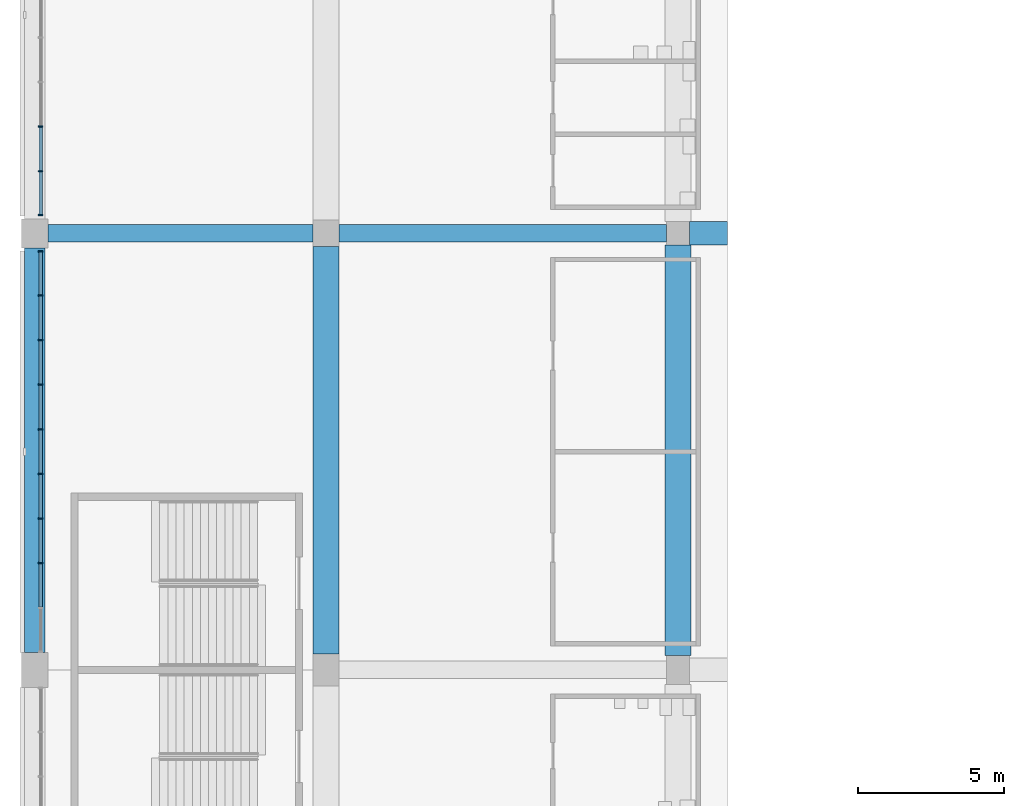
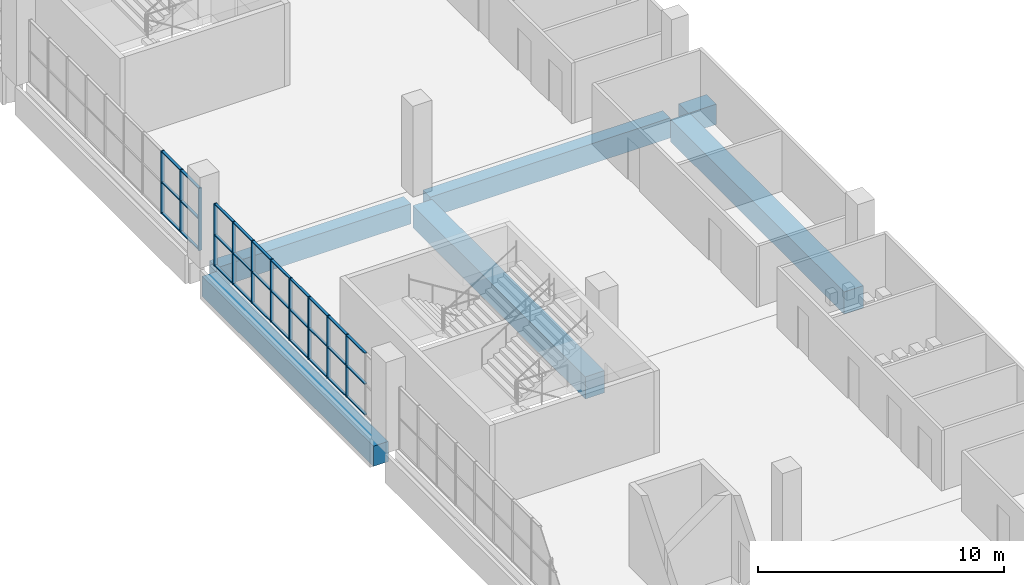
# One storey, part 34 of 199: 41 members, 6 beams, 2 elements without a shape of their own.
"""IFC4 building model written with IfcOpenShell, lengths in metres."""

from ifc_helpers import new_model, si_unit, direction, frame, origin, origin_2d, place, context, subcontext, project, spatial, rectangle, extrude, material, material_profile, profile_set, type_object, element, aggregate, save


model = new_model("IFC4")

# Units and contexts
model_context = context("Model", 3, precision=1e-05, world=origin(), true_north=direction((0.0, 1.0)))
body_context = subcontext(model_context, "Body", "Model", "MODEL_VIEW")
ifc_project = project(units=[si_unit("LENGTHUNIT", "METRE"), si_unit("AREAUNIT", "SQUARE_METRE"), si_unit("VOLUMEUNIT", "CUBIC_METRE"), si_unit("PLANEANGLEUNIT", "RADIAN"), si_unit("MASSUNIT", "GRAM", prefix="KILO")], contexts=[model_context])

# Site, building, storey
site_placement = place(None, origin())
site = spatial("IfcSite", under=ifc_project, at=site_placement, CompositionType="ELEMENT")
building_placement = place(site_placement, origin())
building = spatial("IfcBuilding", under=site, at=building_placement, Name="Ogive Plaza Stadium", CompositionType="ELEMENT")
storey_placement = place(building_placement, frame((0.0, 0.0, 4.5)))
storey = spatial("IfcBuildingStorey", under=building, at=storey_placement, Name="L01", CompositionType="ELEMENT", Elevation=4.5)

# Curtain wall, members
ifc_material_1 = material(Name="Bronze-anodised aluminium with laminated glass", Category="aluminium")
curtain_wall_type = type_object("IfcCurtainWallType", Name="Lancet curtain wall", PredefinedType="NOTDEFINED", material=ifc_material_1)
curtain_wall_1_placement = place(storey_placement, origin())
curtain_wall_1 = element("IfcCurtainWall", 1, at=curtain_wall_1_placement, inside=storey, type_object=curtain_wall_type, Name="CURTAIN WALL B26 L01", PredefinedType="NOTDEFINED")
ifc_material_2 = material(Name="Bronze-anodised aluminium", Category="aluminium")
ifc_material_profile_1 = material_profile(ifc_material_2, rectangle(XDim=0.14990234375, YDim=0.050048828125, at=origin_2d()), Name="AL 150x50")
ifc_profile_set_1 = profile_set([ifc_material_profile_1], Name="Bronze-anodised aluminium")
member_type_1 = type_object("IfcMemberType", Name="Curtain wall mullion 50x150", PredefinedType="MULLION", material=ifc_profile_set_1)
member_1_placement = place(storey_placement, frame((-83.800048828125, 26.166748046875, 0.0), z_axis=(0.0, 0.0, 1.0), x_axis=(-1.0, 0.0, 0.0)))
member_1 = element("IfcMember", 2, at=member_1_placement, type_object=member_type_1, Name="CW-B26-L01 mullion 3", PredefinedType="MULLION", context=body_context, shape_type="SweptSolid", body=[
    extrude(rectangle(XDim=0.14990234375, YDim=0.050048828125, at=origin_2d()), origin(), (0.0, 0.0, 1.0), 3.090087890625),
])
member_2_placement = place(storey_placement, frame((-83.800048828125, 27.699951171875, 0.0), z_axis=(0.0, 0.0, 1.0), x_axis=(-1.0, 0.0, 0.0)))
member_2 = element("IfcMember", 3, at=member_2_placement, type_object=member_type_1, Name="CW-B26-L01 mullion 4", PredefinedType="MULLION", context=body_context, shape_type="SweptSolid", body=[
    extrude(rectangle(XDim=0.14990234375, YDim=0.050048828125, at=origin_2d()), origin(), (0.0, 0.0, 1.0), 3.090087890625),
])
member_3_placement = place(storey_placement, frame((-83.800048828125, 29.2333984375, 0.0), z_axis=(0.0, 0.0, 1.0), x_axis=(-1.0, 0.0, 0.0)))
member_3 = element("IfcMember", 4, at=member_3_placement, type_object=member_type_1, Name="CW-B26-L01 mullion 5", PredefinedType="MULLION", context=body_context, shape_type="SweptSolid", body=[
    extrude(rectangle(XDim=0.14990234375, YDim=0.050048828125, at=origin_2d()), origin(), (0.0, 0.0, 1.0), 3.090087890625),
])
member_4_placement = place(storey_placement, frame((-83.800048828125, 30.7666015625, 0.0), z_axis=(0.0, 0.0, 1.0), x_axis=(-1.0, 0.0, 0.0)))
member_4 = element("IfcMember", 5, at=member_4_placement, type_object=member_type_1, Name="CW-B26-L01 mullion 6", PredefinedType="MULLION", context=body_context, shape_type="SweptSolid", body=[
    extrude(rectangle(XDim=0.14990234375, YDim=0.050048828125, at=origin_2d()), origin(), (0.0, 0.0, 1.0), 3.090087890625),
])
member_5_placement = place(storey_placement, frame((-83.800048828125, 32.300048828125, 0.0), z_axis=(0.0, 0.0, 1.0), x_axis=(-1.0, 0.0, 0.0)))
member_5 = element("IfcMember", 6, at=member_5_placement, type_object=member_type_1, Name="CW-B26-L01 mullion 7", PredefinedType="MULLION", context=body_context, shape_type="SweptSolid", body=[
    extrude(rectangle(XDim=0.14990234375, YDim=0.050048828125, at=origin_2d()), origin(), (0.0, 0.0, 1.0), 3.090087890625),
])
member_6_placement = place(storey_placement, frame((-83.800048828125, 33.833251953125, 0.0), z_axis=(0.0, 0.0, 1.0), x_axis=(-1.0, 0.0, 0.0)))
member_6 = element("IfcMember", 7, at=member_6_placement, type_object=member_type_1, Name="CW-B26-L01 mullion 8", PredefinedType="MULLION", context=body_context, shape_type="SweptSolid", body=[
    extrude(rectangle(XDim=0.14990234375, YDim=0.050048828125, at=origin_2d()), origin(), (0.0, 0.0, 1.0), 3.090087890625),
])
member_7_placement = place(storey_placement, frame((-83.800048828125, 35.36669921875, 0.0), z_axis=(0.0, 0.0, 1.0), x_axis=(-1.0, 0.0, 0.0)))
member_7 = element("IfcMember", 8, at=member_7_placement, type_object=member_type_1, Name="CW-B26-L01 mullion 9", PredefinedType="MULLION", context=body_context, shape_type="SweptSolid", body=[
    extrude(rectangle(XDim=0.14990234375, YDim=0.050048828125, at=origin_2d()), origin(), (0.0, 0.0, 1.0), 3.090087890625),
])
member_8_placement = place(storey_placement, frame((-83.800048828125, 36.875, 0.0), z_axis=(0.0, 0.0, 1.0), x_axis=(-1.0, 0.0, 0.0)))
member_8 = element("IfcMember", 9, at=member_8_placement, type_object=member_type_1, Name="CW-B26-L01 mullion 10", PredefinedType="MULLION", context=body_context, shape_type="SweptSolid", body=[
    extrude(rectangle(XDim=0.14990234375, YDim=0.050048828125, at=origin_2d()), origin(), (0.0, 0.0, 1.0), 3.090087890625),
])

curtain_wall_2_placement = place(storey_placement, origin())
curtain_wall_2 = element("IfcCurtainWall", 10, at=curtain_wall_2_placement, inside=storey, type_object=curtain_wall_type, Name="CURTAIN WALL B27 L01", PredefinedType="NOTDEFINED")
member_9_placement = place(storey_placement, frame((-83.800048828125, 38.125, 0.0), z_axis=(0.0, 0.0, 1.0), x_axis=(-1.0, 0.0, 0.0)))
member_9 = element("IfcMember", 11, at=member_9_placement, type_object=member_type_1, Name="CW-B27-L01 mullion 1", PredefinedType="MULLION", context=body_context, shape_type="SweptSolid", body=[
    extrude(rectangle(XDim=0.14990234375, YDim=0.050048828125, at=origin_2d()), origin(), (0.0, 0.0, 1.0), 3.090087890625),
])
member_10_placement = place(storey_placement, frame((-83.800048828125, 39.63330078125, 0.0), z_axis=(0.0, 0.0, 1.0), x_axis=(-1.0, 0.0, 0.0)))
member_10 = element("IfcMember", 12, at=member_10_placement, type_object=member_type_1, Name="CW-B27-L01 mullion 2", PredefinedType="MULLION", context=body_context, shape_type="SweptSolid", body=[
    extrude(rectangle(XDim=0.14990234375, YDim=0.050048828125, at=origin_2d()), origin(), (0.0, 0.0, 1.0), 3.090087890625),
])
member_11_placement = place(storey_placement, frame((-83.800048828125, 41.166748046875, 0.0), z_axis=(0.0, 0.0, 1.0), x_axis=(-1.0, 0.0, 0.0)))
member_11 = element("IfcMember", 13, at=member_11_placement, type_object=member_type_1, Name="CW-B27-L01 mullion 3", PredefinedType="MULLION", context=body_context, shape_type="SweptSolid", body=[
    extrude(rectangle(XDim=0.14990234375, YDim=0.050048828125, at=origin_2d()), origin(), (0.0, 0.0, 1.0), 3.090087890625),
])

# Member
ifc_material_3 = material(Name="Bronze-anodised aluminium", Category="aluminium")
ifc_material_profile_2 = material_profile(ifc_material_3, rectangle(XDim=0.1201171875, YDim=0.050048828125, at=origin_2d()), Name="AL 120x50")
ifc_profile_set_2 = profile_set([ifc_material_profile_2], Name="Bronze-anodised aluminium")
member_type_2 = type_object("IfcMemberType", Name="Curtain wall transom 50x120", PredefinedType="USERDEFINED", material=ifc_profile_set_2)
member_12_placement = place(storey_placement, frame((-83.800048828125, 24.658447265625, 0.02490234375), z_axis=(0.0, 1.0, 0.0), x_axis=(-1.0, 0.0, 0.0)))
member_12 = element("IfcMember", 14, at=member_12_placement, type_object=member_type_2, Name="CW-B26-L01 transom 2.1", ObjectType="TRANSOM", PredefinedType="USERDEFINED", context=body_context, shape_type="SweptSolid", body=[
    extrude(rectangle(XDim=0.1201171875, YDim=0.050048828125, at=origin_2d()), origin(), (0.0, 0.0, 1.0), 1.483154296875),
])

member_13_placement = place(storey_placement, frame((-83.800048828125, 24.658447265625, 1.544921875), z_axis=(0.0, 1.0, 0.0), x_axis=(-1.0, 0.0, 0.0)))
member_13 = element("IfcMember", 15, at=member_13_placement, type_object=member_type_2, Name="CW-B26-L01 transom 2.2", ObjectType="TRANSOM", PredefinedType="USERDEFINED", context=body_context, shape_type="SweptSolid", body=[
    extrude(rectangle(XDim=0.1201171875, YDim=0.050048828125, at=origin_2d()), origin(), (0.0, 0.0, 1.0), 1.483154296875),
])

member_14_placement = place(storey_placement, frame((-83.800048828125, 24.658447265625, 3.06494140625), z_axis=(0.0, 1.0, 0.0), x_axis=(-1.0, 0.0, 0.0)))
member_14 = element("IfcMember", 16, at=member_14_placement, type_object=member_type_2, Name="CW-B26-L01 transom 2.3", ObjectType="TRANSOM", PredefinedType="USERDEFINED", context=body_context, shape_type="SweptSolid", body=[
    extrude(rectangle(XDim=0.1201171875, YDim=0.050048828125, at=origin_2d()), origin(), (0.0, 0.0, 1.0), 1.483154296875),
])

member_15_placement = place(storey_placement, frame((-83.800048828125, 26.191650390625, 0.02490234375), z_axis=(0.0, 1.0, 0.0), x_axis=(-1.0, 0.0, 0.0)))
member_15 = element("IfcMember", 17, at=member_15_placement, type_object=member_type_2, Name="CW-B26-L01 transom 3.1", ObjectType="TRANSOM", PredefinedType="USERDEFINED", context=body_context, shape_type="SweptSolid", body=[
    extrude(rectangle(XDim=0.1201171875, YDim=0.050048828125, at=origin_2d()), origin(), (0.0, 0.0, 1.0), 1.4833984375),
])

member_16_placement = place(storey_placement, frame((-83.800048828125, 26.191650390625, 1.544921875), z_axis=(0.0, 1.0, 0.0), x_axis=(-1.0, 0.0, 0.0)))
member_16 = element("IfcMember", 18, at=member_16_placement, type_object=member_type_2, Name="CW-B26-L01 transom 3.2", ObjectType="TRANSOM", PredefinedType="USERDEFINED", context=body_context, shape_type="SweptSolid", body=[
    extrude(rectangle(XDim=0.1201171875, YDim=0.050048828125, at=origin_2d()), origin(), (0.0, 0.0, 1.0), 1.4833984375),
])

member_17_placement = place(storey_placement, frame((-83.800048828125, 26.191650390625, 3.06494140625), z_axis=(0.0, 1.0, 0.0), x_axis=(-1.0, 0.0, 0.0)))
member_17 = element("IfcMember", 19, at=member_17_placement, type_object=member_type_2, Name="CW-B26-L01 transom 3.3", ObjectType="TRANSOM", PredefinedType="USERDEFINED", context=body_context, shape_type="SweptSolid", body=[
    extrude(rectangle(XDim=0.1201171875, YDim=0.050048828125, at=origin_2d()), origin(), (0.0, 0.0, 1.0), 1.4833984375),
])

member_18_placement = place(storey_placement, frame((-83.800048828125, 27.72509765625, 0.02490234375), z_axis=(0.0, 1.0, 0.0), x_axis=(-1.0, 0.0, 0.0)))
member_18 = element("IfcMember", 20, at=member_18_placement, type_object=member_type_2, Name="CW-B26-L01 transom 4.1", ObjectType="TRANSOM", PredefinedType="USERDEFINED", context=body_context, shape_type="SweptSolid", body=[
    extrude(rectangle(XDim=0.1201171875, YDim=0.050048828125, at=origin_2d()), origin(), (0.0, 0.0, 1.0), 1.483154296875),
])

member_19_placement = place(storey_placement, frame((-83.800048828125, 27.72509765625, 1.544921875), z_axis=(0.0, 1.0, 0.0), x_axis=(-1.0, 0.0, 0.0)))
member_19 = element("IfcMember", 21, at=member_19_placement, type_object=member_type_2, Name="CW-B26-L01 transom 4.2", ObjectType="TRANSOM", PredefinedType="USERDEFINED", context=body_context, shape_type="SweptSolid", body=[
    extrude(rectangle(XDim=0.1201171875, YDim=0.050048828125, at=origin_2d()), origin(), (0.0, 0.0, 1.0), 1.483154296875),
])

member_20_placement = place(storey_placement, frame((-83.800048828125, 27.72509765625, 3.06494140625), z_axis=(0.0, 1.0, 0.0), x_axis=(-1.0, 0.0, 0.0)))
member_20 = element("IfcMember", 22, at=member_20_placement, type_object=member_type_2, Name="CW-B26-L01 transom 4.3", ObjectType="TRANSOM", PredefinedType="USERDEFINED", context=body_context, shape_type="SweptSolid", body=[
    extrude(rectangle(XDim=0.1201171875, YDim=0.050048828125, at=origin_2d()), origin(), (0.0, 0.0, 1.0), 1.483154296875),
])

member_21_placement = place(storey_placement, frame((-83.800048828125, 29.25830078125, 0.02490234375), z_axis=(0.0, 1.0, 0.0), x_axis=(-1.0, 0.0, 0.0)))
member_21 = element("IfcMember", 23, at=member_21_placement, type_object=member_type_2, Name="CW-B26-L01 transom 5.1", ObjectType="TRANSOM", PredefinedType="USERDEFINED", context=body_context, shape_type="SweptSolid", body=[
    extrude(rectangle(XDim=0.1201171875, YDim=0.050048828125, at=origin_2d()), origin(), (0.0, 0.0, 1.0), 1.4833984375),
])

member_22_placement = place(storey_placement, frame((-83.800048828125, 29.25830078125, 1.544921875), z_axis=(0.0, 1.0, 0.0), x_axis=(-1.0, 0.0, 0.0)))
member_22 = element("IfcMember", 24, at=member_22_placement, type_object=member_type_2, Name="CW-B26-L01 transom 5.2", ObjectType="TRANSOM", PredefinedType="USERDEFINED", context=body_context, shape_type="SweptSolid", body=[
    extrude(rectangle(XDim=0.1201171875, YDim=0.050048828125, at=origin_2d()), origin(), (0.0, 0.0, 1.0), 1.4833984375),
])

member_23_placement = place(storey_placement, frame((-83.800048828125, 29.25830078125, 3.06494140625), z_axis=(0.0, 1.0, 0.0), x_axis=(-1.0, 0.0, 0.0)))
member_23 = element("IfcMember", 25, at=member_23_placement, type_object=member_type_2, Name="CW-B26-L01 transom 5.3", ObjectType="TRANSOM", PredefinedType="USERDEFINED", context=body_context, shape_type="SweptSolid", body=[
    extrude(rectangle(XDim=0.1201171875, YDim=0.050048828125, at=origin_2d()), origin(), (0.0, 0.0, 1.0), 1.4833984375),
])

member_24_placement = place(storey_placement, frame((-83.800048828125, 30.791748046875, 0.02490234375), z_axis=(0.0, 1.0, 0.0), x_axis=(-1.0, 0.0, 0.0)))
member_24 = element("IfcMember", 26, at=member_24_placement, type_object=member_type_2, Name="CW-B26-L01 transom 6.1", ObjectType="TRANSOM", PredefinedType="USERDEFINED", context=body_context, shape_type="SweptSolid", body=[
    extrude(rectangle(XDim=0.1201171875, YDim=0.050048828125, at=origin_2d()), origin(), (0.0, 0.0, 1.0), 1.483154296875),
])

member_25_placement = place(storey_placement, frame((-83.800048828125, 30.791748046875, 1.544921875), z_axis=(0.0, 1.0, 0.0), x_axis=(-1.0, 0.0, 0.0)))
member_25 = element("IfcMember", 27, at=member_25_placement, type_object=member_type_2, Name="CW-B26-L01 transom 6.2", ObjectType="TRANSOM", PredefinedType="USERDEFINED", context=body_context, shape_type="SweptSolid", body=[
    extrude(rectangle(XDim=0.1201171875, YDim=0.050048828125, at=origin_2d()), origin(), (0.0, 0.0, 1.0), 1.483154296875),
])

member_26_placement = place(storey_placement, frame((-83.800048828125, 30.791748046875, 3.06494140625), z_axis=(0.0, 1.0, 0.0), x_axis=(-1.0, 0.0, 0.0)))
member_26 = element("IfcMember", 28, at=member_26_placement, type_object=member_type_2, Name="CW-B26-L01 transom 6.3", ObjectType="TRANSOM", PredefinedType="USERDEFINED", context=body_context, shape_type="SweptSolid", body=[
    extrude(rectangle(XDim=0.1201171875, YDim=0.050048828125, at=origin_2d()), origin(), (0.0, 0.0, 1.0), 1.483154296875),
])

member_27_placement = place(storey_placement, frame((-83.800048828125, 32.324951171875, 0.02490234375), z_axis=(0.0, 1.0, 0.0), x_axis=(-1.0, 0.0, 0.0)))
member_27 = element("IfcMember", 29, at=member_27_placement, type_object=member_type_2, Name="CW-B26-L01 transom 7.1", ObjectType="TRANSOM", PredefinedType="USERDEFINED", context=body_context, shape_type="SweptSolid", body=[
    extrude(rectangle(XDim=0.1201171875, YDim=0.050048828125, at=origin_2d()), origin(), (0.0, 0.0, 1.0), 1.4833984375),
])

member_28_placement = place(storey_placement, frame((-83.800048828125, 32.324951171875, 1.544921875), z_axis=(0.0, 1.0, 0.0), x_axis=(-1.0, 0.0, 0.0)))
member_28 = element("IfcMember", 30, at=member_28_placement, type_object=member_type_2, Name="CW-B26-L01 transom 7.2", ObjectType="TRANSOM", PredefinedType="USERDEFINED", context=body_context, shape_type="SweptSolid", body=[
    extrude(rectangle(XDim=0.1201171875, YDim=0.050048828125, at=origin_2d()), origin(), (0.0, 0.0, 1.0), 1.4833984375),
])

member_29_placement = place(storey_placement, frame((-83.800048828125, 32.324951171875, 3.06494140625), z_axis=(0.0, 1.0, 0.0), x_axis=(-1.0, 0.0, 0.0)))
member_29 = element("IfcMember", 31, at=member_29_placement, type_object=member_type_2, Name="CW-B26-L01 transom 7.3", ObjectType="TRANSOM", PredefinedType="USERDEFINED", context=body_context, shape_type="SweptSolid", body=[
    extrude(rectangle(XDim=0.1201171875, YDim=0.050048828125, at=origin_2d()), origin(), (0.0, 0.0, 1.0), 1.4833984375),
])

member_30_placement = place(storey_placement, frame((-83.800048828125, 33.8583984375, 0.02490234375), z_axis=(0.0, 1.0, 0.0), x_axis=(-1.0, 0.0, 0.0)))
member_30 = element("IfcMember", 32, at=member_30_placement, type_object=member_type_2, Name="CW-B26-L01 transom 8.1", ObjectType="TRANSOM", PredefinedType="USERDEFINED", context=body_context, shape_type="SweptSolid", body=[
    extrude(rectangle(XDim=0.1201171875, YDim=0.050048828125, at=origin_2d()), origin(), (0.0, 0.0, 1.0), 1.483154296875),
])

member_31_placement = place(storey_placement, frame((-83.800048828125, 33.8583984375, 1.544921875), z_axis=(0.0, 1.0, 0.0), x_axis=(-1.0, 0.0, 0.0)))
member_31 = element("IfcMember", 33, at=member_31_placement, type_object=member_type_2, Name="CW-B26-L01 transom 8.2", ObjectType="TRANSOM", PredefinedType="USERDEFINED", context=body_context, shape_type="SweptSolid", body=[
    extrude(rectangle(XDim=0.1201171875, YDim=0.050048828125, at=origin_2d()), origin(), (0.0, 0.0, 1.0), 1.483154296875),
])

member_32_placement = place(storey_placement, frame((-83.800048828125, 33.8583984375, 3.06494140625), z_axis=(0.0, 1.0, 0.0), x_axis=(-1.0, 0.0, 0.0)))
member_32 = element("IfcMember", 34, at=member_32_placement, type_object=member_type_2, Name="CW-B26-L01 transom 8.3", ObjectType="TRANSOM", PredefinedType="USERDEFINED", context=body_context, shape_type="SweptSolid", body=[
    extrude(rectangle(XDim=0.1201171875, YDim=0.050048828125, at=origin_2d()), origin(), (0.0, 0.0, 1.0), 1.483154296875),
])

member_33_placement = place(storey_placement, frame((-83.800048828125, 35.3916015625, 0.02490234375), z_axis=(0.0, 1.0, 0.0), x_axis=(-1.0, 0.0, 0.0)))
member_33 = element("IfcMember", 35, at=member_33_placement, type_object=member_type_2, Name="CW-B26-L01 transom 9.1", ObjectType="TRANSOM", PredefinedType="USERDEFINED", context=body_context, shape_type="SweptSolid", body=[
    extrude(rectangle(XDim=0.1201171875, YDim=0.050048828125, at=origin_2d()), origin(), (0.0, 0.0, 1.0), 1.45849609375),
])

member_34_placement = place(storey_placement, frame((-83.800048828125, 35.3916015625, 1.544921875), z_axis=(0.0, 1.0, 0.0), x_axis=(-1.0, 0.0, 0.0)))
member_34 = element("IfcMember", 36, at=member_34_placement, type_object=member_type_2, Name="CW-B26-L01 transom 9.2", ObjectType="TRANSOM", PredefinedType="USERDEFINED", context=body_context, shape_type="SweptSolid", body=[
    extrude(rectangle(XDim=0.1201171875, YDim=0.050048828125, at=origin_2d()), origin(), (0.0, 0.0, 1.0), 1.45849609375),
])

member_35_placement = place(storey_placement, frame((-83.800048828125, 35.3916015625, 3.06494140625), z_axis=(0.0, 1.0, 0.0), x_axis=(-1.0, 0.0, 0.0)))
member_35 = element("IfcMember", 37, at=member_35_placement, type_object=member_type_2, Name="CW-B26-L01 transom 9.3", ObjectType="TRANSOM", PredefinedType="USERDEFINED", context=body_context, shape_type="SweptSolid", body=[
    extrude(rectangle(XDim=0.1201171875, YDim=0.050048828125, at=origin_2d()), origin(), (0.0, 0.0, 1.0), 1.45849609375),
])

aggregate(curtain_wall_1, [member_1, member_2, member_3, member_4, member_5, member_6, member_7, member_8, member_12, member_13, member_14, member_15, member_16, member_17, member_18, member_19, member_20, member_21, member_22, member_23, member_24, member_25, member_26, member_27, member_28, member_29, member_30, member_31, member_32, member_33, member_34, member_35])

member_36_placement = place(storey_placement, frame((-83.800048828125, 38.14990234375, 0.02490234375), z_axis=(0.0, 1.0, 0.0), x_axis=(-1.0, 0.0, 0.0)))
member_36 = element("IfcMember", 38, at=member_36_placement, type_object=member_type_2, Name="CW-B27-L01 transom 1.1", ObjectType="TRANSOM", PredefinedType="USERDEFINED", context=body_context, shape_type="SweptSolid", body=[
    extrude(rectangle(XDim=0.1201171875, YDim=0.050048828125, at=origin_2d()), origin(), (0.0, 0.0, 1.0), 1.45849609375),
])

member_37_placement = place(storey_placement, frame((-83.800048828125, 38.14990234375, 1.544921875), z_axis=(0.0, 1.0, 0.0), x_axis=(-1.0, 0.0, 0.0)))
member_37 = element("IfcMember", 39, at=member_37_placement, type_object=member_type_2, Name="CW-B27-L01 transom 1.2", ObjectType="TRANSOM", PredefinedType="USERDEFINED", context=body_context, shape_type="SweptSolid", body=[
    extrude(rectangle(XDim=0.1201171875, YDim=0.050048828125, at=origin_2d()), origin(), (0.0, 0.0, 1.0), 1.45849609375),
])

member_38_placement = place(storey_placement, frame((-83.800048828125, 38.14990234375, 3.06494140625), z_axis=(0.0, 1.0, 0.0), x_axis=(-1.0, 0.0, 0.0)))
member_38 = element("IfcMember", 40, at=member_38_placement, type_object=member_type_2, Name="CW-B27-L01 transom 1.3", ObjectType="TRANSOM", PredefinedType="USERDEFINED", context=body_context, shape_type="SweptSolid", body=[
    extrude(rectangle(XDim=0.1201171875, YDim=0.050048828125, at=origin_2d()), origin(), (0.0, 0.0, 1.0), 1.45849609375),
])

member_39_placement = place(storey_placement, frame((-83.800048828125, 39.658447265625, 0.02490234375), z_axis=(0.0, 1.0, 0.0), x_axis=(-1.0, 0.0, 0.0)))
member_39 = element("IfcMember", 41, at=member_39_placement, type_object=member_type_2, Name="CW-B27-L01 transom 2.1", ObjectType="TRANSOM", PredefinedType="USERDEFINED", context=body_context, shape_type="SweptSolid", body=[
    extrude(rectangle(XDim=0.1201171875, YDim=0.050048828125, at=origin_2d()), origin(), (0.0, 0.0, 1.0), 1.483154296875),
])

member_40_placement = place(storey_placement, frame((-83.800048828125, 39.658447265625, 1.544921875), z_axis=(0.0, 1.0, 0.0), x_axis=(-1.0, 0.0, 0.0)))
member_40 = element("IfcMember", 42, at=member_40_placement, type_object=member_type_2, Name="CW-B27-L01 transom 2.2", ObjectType="TRANSOM", PredefinedType="USERDEFINED", context=body_context, shape_type="SweptSolid", body=[
    extrude(rectangle(XDim=0.1201171875, YDim=0.050048828125, at=origin_2d()), origin(), (0.0, 0.0, 1.0), 1.483154296875),
])

member_41_placement = place(storey_placement, frame((-83.800048828125, 39.658447265625, 3.06494140625), z_axis=(0.0, 1.0, 0.0), x_axis=(-1.0, 0.0, 0.0)))
member_41 = element("IfcMember", 43, at=member_41_placement, type_object=member_type_2, Name="CW-B27-L01 transom 2.3", ObjectType="TRANSOM", PredefinedType="USERDEFINED", context=body_context, shape_type="SweptSolid", body=[
    extrude(rectangle(XDim=0.1201171875, YDim=0.050048828125, at=origin_2d()), origin(), (0.0, 0.0, 1.0), 1.483154296875),
])

aggregate(curtain_wall_2, [member_9, member_10, member_11, member_36, member_37, member_38, member_39, member_40, member_41])

# Beams
ifc_material_4 = material(Name="Concrete C40/50", Category="concrete")
ifc_material_profile_3 = material_profile(ifc_material_4, rectangle(XDim=0.60009765625, YDim=1.0, at=origin_2d()), Name="RC 600x1000")
ifc_profile_set_3 = profile_set([ifc_material_profile_3], Name="Concrete C40/50")
beam_type_1 = type_object("IfcBeamType", Name="RC radial beam 600x1000", PredefinedType="BEAM", material=ifc_profile_set_3)
beam_1_placement = place(storey_placement, frame((-62.300048828125, 37.5, -0.909912109375), z_axis=(-1.0, 0.0, 0.0), x_axis=(0.0, -1.0, 0.0)))
element("IfcBeam", 44, at=beam_1_placement, inside=storey, type_object=beam_type_1, Name="Radial beam L01 R27 F3F4", PredefinedType="BEAM", context=body_context, shape_type="SweptSolid", body=[
    extrude(rectangle(XDim=0.60009765625, YDim=1.0, at=origin_2d()), origin(), (0.0, 0.0, 1.0), 11.25),
])
beam_2_placement = place(storey_placement, frame((-74.449951171875, 37.5, -0.909912109375), z_axis=(-1.0, 0.0, 0.0), x_axis=(0.0, -1.0, 0.0)))
element("IfcBeam", 45, at=beam_2_placement, inside=storey, type_object=beam_type_1, Name="Radial beam L01 R27 F4F5", PredefinedType="BEAM", context=body_context, shape_type="SweptSolid", body=[
    extrude(rectangle(XDim=0.60009765625, YDim=1.0, at=origin_2d()), origin(), (0.0, 0.0, 1.0), 9.10009765625),
])
ifc_material_5 = material(Name="Concrete C40/50", Category="concrete")
ifc_material_profile_4 = material_profile(ifc_material_5, rectangle(XDim=0.800048828125, YDim=1.0, at=origin_2d()), Name="RC 800x1000")
ifc_profile_set_4 = profile_set([ifc_material_profile_4], Name="Concrete C40/50")
beam_type_2 = type_object("IfcBeamType", Name="RC radial beam 800x1000", PredefinedType="BEAM", material=ifc_profile_set_4)
beam_3_placement = place(storey_placement, frame((-60.199951171875, 37.5, -0.909912109375), z_axis=(-1.0, 0.0, 0.0), x_axis=(0.0, -1.0, 0.0)))
element("IfcBeam", 46, at=beam_3_placement, inside=storey, type_object=beam_type_2, Name="Raker tail beam LT R27", PredefinedType="BEAM", context=body_context, shape_type="SweptSolid", body=[
    extrude(rectangle(XDim=0.800048828125, YDim=1.0, at=origin_2d()), origin(), (0.0, 0.0, 1.0), 1.300048828125),
])
ifc_material_6 = material(Name="Concrete C40/50", Category="concrete")
ifc_material_profile_5 = material_profile(ifc_material_6, rectangle(XDim=0.89990234375, YDim=1.10009765625, at=origin_2d()), Name="RC 900x1100")
ifc_profile_set_5 = profile_set([ifc_material_profile_5], Name="Concrete C40/50")
beam_type_3 = type_object("IfcBeamType", Name="RC ring beam 900x1100", PredefinedType="BEAM", material=ifc_profile_set_5)
beam_4_placement = place(storey_placement, frame((-74.0, 23.050048828125, -0.9599609375), z_axis=(0.0, 1.0, 0.0), x_axis=(-1.0, 0.0, 0.0)))
element("IfcBeam", 47, at=beam_4_placement, inside=storey, type_object=beam_type_3, Name="Ring beam F4 L01 B26", PredefinedType="BEAM", context=body_context, shape_type="SweptSolid", body=[
    extrude(rectangle(XDim=0.89990234375, YDim=1.10009765625, at=origin_2d()), origin(), (0.0, 0.0, 1.0), 14.0),
])
beam_5_placement = place(storey_placement, frame((-61.89990234375, 23.0, -0.9599609375), z_axis=(0.0, 1.0, 0.0), x_axis=(-1.0, 0.0, 0.0)))
element("IfcBeam", 48, at=beam_5_placement, inside=storey, type_object=beam_type_3, Name="Ring beam F3 L01 B26", PredefinedType="BEAM", context=body_context, shape_type="SweptSolid", body=[
    extrude(rectangle(XDim=0.89990234375, YDim=1.10009765625, at=origin_2d()), origin(), (0.0, 0.0, 1.0), 14.10009765625),
])
ifc_material_7 = material(Name="Concrete C40/50", Category="concrete")
ifc_material_profile_6 = material_profile(ifc_material_7, rectangle(XDim=0.699951171875, YDim=1.0, at=origin_2d()), Name="RC 700x1000")
ifc_profile_set_6 = profile_set([ifc_material_profile_6], Name="Concrete C40/50")
beam_type_4 = type_object("IfcBeamType", Name="RC spandrel beam 700x1000", PredefinedType="SPANDREL", material=ifc_profile_set_6)
beam_6_placement = place(storey_placement, frame((-84.0, 23.10009765625, -0.909912109375), z_axis=(0.0, 1.0, 0.0), x_axis=(-1.0, 0.0, 0.0)))
element("IfcBeam", 49, at=beam_6_placement, inside=storey, type_object=beam_type_4, Name="Ring beam F5 L01 B26", PredefinedType="SPANDREL", context=body_context, shape_type="SweptSolid", body=[
    extrude(rectangle(XDim=0.699951171875, YDim=1.0, at=origin_2d()), origin(), (0.0, 0.0, 1.0), 13.89990234375),
])

save(model, "model.ifc")
